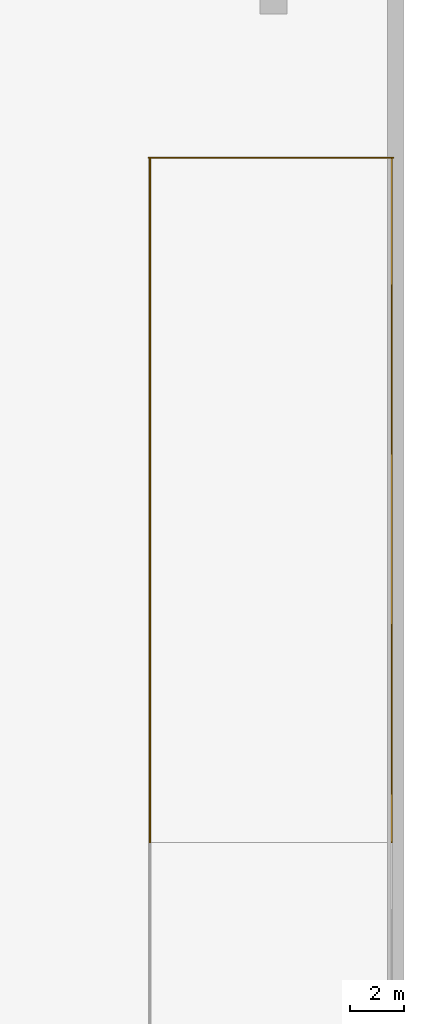
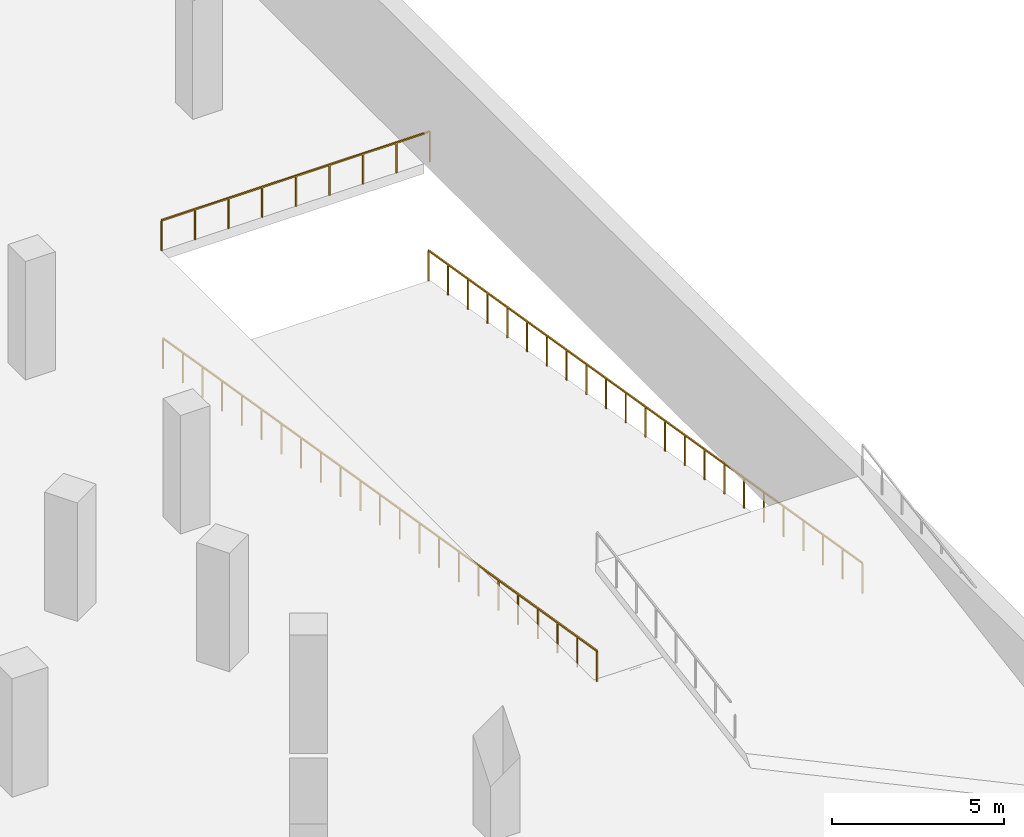
# One storey, part 17 of 20: 3 railings.
"""IFC4 building model written with IfcOpenShell, lengths in metres."""

from ifc_helpers import new_model, si_unit, direction, frame, origin, origin_2d, place, context, subcontext, project, spatial, rectangle, extrude, material, type_object, element, save


model = new_model("IFC4")

# Units and contexts
model_context = context("Model", 3, precision=1e-05, world=origin(), true_north=direction((0.0, 1.0)))
body_context = subcontext(model_context, "Body", "Model", "MODEL_VIEW")
ifc_project = project(units=[si_unit("LENGTHUNIT", "METRE"), si_unit("AREAUNIT", "SQUARE_METRE"), si_unit("VOLUMEUNIT", "CUBIC_METRE"), si_unit("PLANEANGLEUNIT", "RADIAN"), si_unit("MASSUNIT", "GRAM", prefix="KILO")], contexts=[model_context])

# Site, building, storey
site_placement = place(None, origin())
site = spatial("IfcSite", under=ifc_project, at=site_placement, CompositionType="ELEMENT")
building_placement = place(site_placement, origin())
building = spatial("IfcBuilding", under=site, at=building_placement, Name="Beryl Residences", CompositionType="ELEMENT")
storey_placement = place(building_placement, frame((0.0, 0.0, -4.199951171875)))
storey = spatial("IfcBuildingStorey", under=building, at=storey_placement, Name="B1", CompositionType="ELEMENT", Elevation=-4.199951171875)

# Railings
ifc_material = material(Name="Stainless steel balustrade with glass infill", Category="steel")
railing_type = type_object("IfcRailingType", Name="EG1 edge guard 1100 mm", PredefinedType="GUARDRAIL", material=ifc_material)
railing_1_placement = place(storey_placement, frame((38.60009765625, 21.199951171875, 0.0)))
element("IfcRailing", 1, at=railing_1_placement, inside=storey, type_object=railing_type, Name="B1 guard 37", PredefinedType="GUARDRAIL", context=body_context, shape_type="SweptSolid", body=[
    extrude(rectangle(XDim=0.048095703125, YDim=0.048095703125, at=origin_2d()), frame((0.0, 0.0, 1.076171875), z_axis=(1.0, 0.0, 0.0), x_axis=(0.0, 1.0, 0.0)), (0.0, 0.0, 1.0), 9.0),
    extrude(rectangle(XDim=0.0419921875, YDim=0.0419921875, at=origin_2d()), origin(), (0.0, 0.0, 1.0), 1.052001953125),
    extrude(rectangle(XDim=0.0419921875, YDim=0.0419921875, at=origin_2d()), frame((1.125, 0.0, 0.0)), (0.0, 0.0, 1.0), 1.052001953125),
    extrude(rectangle(XDim=0.0419921875, YDim=0.0419921875, at=origin_2d()), frame((2.25, 0.0, 0.0)), (0.0, 0.0, 1.0), 1.052001953125),
    extrude(rectangle(XDim=0.0419921875, YDim=0.0419921875, at=origin_2d()), frame((3.375, 0.0, 0.0)), (0.0, 0.0, 1.0), 1.052001953125),
    extrude(rectangle(XDim=0.0419921875, YDim=0.0419921875, at=origin_2d()), frame((4.5, 0.0, 0.0)), (0.0, 0.0, 1.0), 1.052001953125),
    extrude(rectangle(XDim=0.0419921875, YDim=0.0419921875, at=origin_2d()), frame((5.625, 0.0, 0.0)), (0.0, 0.0, 1.0), 1.052001953125),
    extrude(rectangle(XDim=0.0419921875, YDim=0.0419921875, at=origin_2d()), frame((6.75, 0.0, 0.0)), (0.0, 0.0, 1.0), 1.052001953125),
    extrude(rectangle(XDim=0.0419921875, YDim=0.0419921875, at=origin_2d()), frame((7.875, 0.0, 0.0)), (0.0, 0.0, 1.0), 1.052001953125),
    extrude(rectangle(XDim=0.0419921875, YDim=0.0419921875, at=origin_2d()), frame((9.0, 0.0, 0.0)), (0.0, 0.0, 1.0), 1.052001953125),
])
railing_2_placement = place(storey_placement, frame((38.64990234375, -4.0, 0.0)))
element("IfcRailing", 2, at=railing_2_placement, inside=storey, type_object=railing_type, Name="B1 ramp RB guard left", PredefinedType="GUARDRAIL", context=body_context, shape_type="SweptSolid", body=[
    extrude(rectangle(XDim=0.048095703125, YDim=0.048095703125, at=origin_2d()), frame((0.0, 0.0, 1.076171875), z_axis=(0.0, 0.98639418211, -0.164397437631), x_axis=(-1.0, 0.0, 0.0)), (0.0, 0.0, 1.0), 25.547607421875),
    extrude(rectangle(XDim=0.0419921875, YDim=0.0419921875, at=origin_2d()), origin(), (0.0, 0.0, 1.0), 1.052001953125),
    extrude(rectangle(XDim=0.0419921875, YDim=0.0419921875, at=origin_2d()), frame((0.0, 1.1455078125, -0.19091796875)), (0.0, 0.0, 1.0), 1.052001953125),
    extrude(rectangle(XDim=0.0419921875, YDim=0.0419921875, at=origin_2d()), frame((0.0, 2.291015625, -0.3818359375)), (0.0, 0.0, 1.0), 1.052001953125),
    extrude(rectangle(XDim=0.0419921875, YDim=0.0419921875, at=origin_2d()), frame((0.0, 3.436279296875, -0.57275390625)), (0.0, 0.0, 1.0), 1.052001953125),
    extrude(rectangle(XDim=0.0419921875, YDim=0.0419921875, at=origin_2d()), frame((0.0, 4.581787109375, -0.763671875)), (0.0, 0.0, 1.0), 1.052001953125),
    extrude(rectangle(XDim=0.0419921875, YDim=0.0419921875, at=origin_2d()), frame((0.0, 5.727294921875, -0.95458984375)), (0.0, 0.0, 1.0), 1.052001953125),
    extrude(rectangle(XDim=0.0419921875, YDim=0.0419921875, at=origin_2d()), frame((0.0, 6.872802734375, -1.1455078125)), (0.0, 0.0, 1.0), 1.052001953125),
    extrude(rectangle(XDim=0.0419921875, YDim=0.0419921875, at=origin_2d()), frame((0.0, 8.01806640625, -1.33642578125)), (0.0, 0.0, 1.0), 1.052001953125),
    extrude(rectangle(XDim=0.0419921875, YDim=0.0419921875, at=origin_2d()), frame((0.0, 9.16357421875, -1.52734375)), (0.0, 0.0, 1.0), 1.052001953125),
    extrude(rectangle(XDim=0.0419921875, YDim=0.0419921875, at=origin_2d()), frame((0.0, 10.30908203125, -1.71826171875)), (0.0, 0.0, 1.0), 1.052001953125),
    extrude(rectangle(XDim=0.0419921875, YDim=0.0419921875, at=origin_2d()), frame((0.0, 11.45458984375, -1.9091796875)), (0.0, 0.0, 1.0), 1.052001953125),
    extrude(rectangle(XDim=0.0419921875, YDim=0.0419921875, at=origin_2d()), frame((0.0, 12.60009765625, -2.10009765625)), (0.0, 0.0, 1.0), 1.052001953125),
    extrude(rectangle(XDim=0.0419921875, YDim=0.0419921875, at=origin_2d()), frame((0.0, 13.745361328125, -2.290771484375)), (0.0, 0.0, 1.0), 1.052001953125),
    extrude(rectangle(XDim=0.0419921875, YDim=0.0419921875, at=origin_2d()), frame((0.0, 14.890869140625, -2.481689453125)), (0.0, 0.0, 1.0), 1.052001953125),
    extrude(rectangle(XDim=0.0419921875, YDim=0.0419921875, at=origin_2d()), frame((0.0, 16.036376953125, -2.672607421875)), (0.0, 0.0, 1.0), 1.052001953125),
    extrude(rectangle(XDim=0.0419921875, YDim=0.0419921875, at=origin_2d()), frame((0.0, 17.181884765625, -2.863525390625)), (0.0, 0.0, 1.0), 1.052001953125),
    extrude(rectangle(XDim=0.0419921875, YDim=0.0419921875, at=origin_2d()), frame((0.0, 18.3271484375, -3.054443359375)), (0.0, 0.0, 1.0), 1.052001953125),
    extrude(rectangle(XDim=0.0419921875, YDim=0.0419921875, at=origin_2d()), frame((0.0, 19.47265625, -3.245361328125)), (0.0, 0.0, 1.0), 1.052001953125),
    extrude(rectangle(XDim=0.0419921875, YDim=0.0419921875, at=origin_2d()), frame((0.0, 20.6181640625, -3.436279296875)), (0.0, 0.0, 1.0), 1.052001953125),
    extrude(rectangle(XDim=0.0419921875, YDim=0.0419921875, at=origin_2d()), frame((0.0, 21.763671875, -3.627197265625)), (0.0, 0.0, 1.0), 1.052001953125),
    extrude(rectangle(XDim=0.0419921875, YDim=0.0419921875, at=origin_2d()), frame((0.0, 22.908935546875, -3.818115234375)), (0.0, 0.0, 1.0), 1.052001953125),
    extrude(rectangle(XDim=0.0419921875, YDim=0.0419921875, at=origin_2d()), frame((0.0, 24.054443359375, -4.009033203125)), (0.0, 0.0, 1.0), 1.052001953125),
    extrude(rectangle(XDim=0.0419921875, YDim=0.0419921875, at=origin_2d()), frame((0.0, 25.199951171875, -4.199951171875)), (0.0, 0.0, 1.0), 1.052001953125),
])
railing_3_placement = place(storey_placement, frame((47.550048828125, -4.0, 0.0)))
element("IfcRailing", 3, at=railing_3_placement, inside=storey, type_object=railing_type, Name="B1 ramp RB guard right", PredefinedType="GUARDRAIL", context=body_context, shape_type="SweptSolid", body=[
    extrude(rectangle(XDim=0.048095703125, YDim=0.048095703125, at=origin_2d()), frame((0.0, 0.0, 1.076171875), z_axis=(0.0, 0.98639418211, -0.164397437631), x_axis=(-1.0, 0.0, 0.0)), (0.0, 0.0, 1.0), 25.547607421875),
    extrude(rectangle(XDim=0.0419921875, YDim=0.0419921875, at=origin_2d()), origin(), (0.0, 0.0, 1.0), 1.052001953125),
    extrude(rectangle(XDim=0.0419921875, YDim=0.0419921875, at=origin_2d()), frame((0.0, 1.1455078125, -0.19091796875)), (0.0, 0.0, 1.0), 1.052001953125),
    extrude(rectangle(XDim=0.0419921875, YDim=0.0419921875, at=origin_2d()), frame((0.0, 2.291015625, -0.3818359375)), (0.0, 0.0, 1.0), 1.052001953125),
    extrude(rectangle(XDim=0.0419921875, YDim=0.0419921875, at=origin_2d()), frame((0.0, 3.436279296875, -0.57275390625)), (0.0, 0.0, 1.0), 1.052001953125),
    extrude(rectangle(XDim=0.0419921875, YDim=0.0419921875, at=origin_2d()), frame((0.0, 4.581787109375, -0.763671875)), (0.0, 0.0, 1.0), 1.052001953125),
    extrude(rectangle(XDim=0.0419921875, YDim=0.0419921875, at=origin_2d()), frame((0.0, 5.727294921875, -0.95458984375)), (0.0, 0.0, 1.0), 1.052001953125),
    extrude(rectangle(XDim=0.0419921875, YDim=0.0419921875, at=origin_2d()), frame((0.0, 6.872802734375, -1.1455078125)), (0.0, 0.0, 1.0), 1.052001953125),
    extrude(rectangle(XDim=0.0419921875, YDim=0.0419921875, at=origin_2d()), frame((0.0, 8.01806640625, -1.33642578125)), (0.0, 0.0, 1.0), 1.052001953125),
    extrude(rectangle(XDim=0.0419921875, YDim=0.0419921875, at=origin_2d()), frame((0.0, 9.16357421875, -1.52734375)), (0.0, 0.0, 1.0), 1.052001953125),
    extrude(rectangle(XDim=0.0419921875, YDim=0.0419921875, at=origin_2d()), frame((0.0, 10.30908203125, -1.71826171875)), (0.0, 0.0, 1.0), 1.052001953125),
    extrude(rectangle(XDim=0.0419921875, YDim=0.0419921875, at=origin_2d()), frame((0.0, 11.45458984375, -1.9091796875)), (0.0, 0.0, 1.0), 1.052001953125),
    extrude(rectangle(XDim=0.0419921875, YDim=0.0419921875, at=origin_2d()), frame((0.0, 12.60009765625, -2.10009765625)), (0.0, 0.0, 1.0), 1.052001953125),
    extrude(rectangle(XDim=0.0419921875, YDim=0.0419921875, at=origin_2d()), frame((0.0, 13.745361328125, -2.290771484375)), (0.0, 0.0, 1.0), 1.052001953125),
    extrude(rectangle(XDim=0.0419921875, YDim=0.0419921875, at=origin_2d()), frame((0.0, 14.890869140625, -2.481689453125)), (0.0, 0.0, 1.0), 1.052001953125),
    extrude(rectangle(XDim=0.0419921875, YDim=0.0419921875, at=origin_2d()), frame((0.0, 16.036376953125, -2.672607421875)), (0.0, 0.0, 1.0), 1.052001953125),
    extrude(rectangle(XDim=0.0419921875, YDim=0.0419921875, at=origin_2d()), frame((0.0, 17.181884765625, -2.863525390625)), (0.0, 0.0, 1.0), 1.052001953125),
    extrude(rectangle(XDim=0.0419921875, YDim=0.0419921875, at=origin_2d()), frame((0.0, 18.3271484375, -3.054443359375)), (0.0, 0.0, 1.0), 1.052001953125),
    extrude(rectangle(XDim=0.0419921875, YDim=0.0419921875, at=origin_2d()), frame((0.0, 19.47265625, -3.245361328125)), (0.0, 0.0, 1.0), 1.052001953125),
    extrude(rectangle(XDim=0.0419921875, YDim=0.0419921875, at=origin_2d()), frame((0.0, 20.6181640625, -3.436279296875)), (0.0, 0.0, 1.0), 1.052001953125),
    extrude(rectangle(XDim=0.0419921875, YDim=0.0419921875, at=origin_2d()), frame((0.0, 21.763671875, -3.627197265625)), (0.0, 0.0, 1.0), 1.052001953125),
    extrude(rectangle(XDim=0.0419921875, YDim=0.0419921875, at=origin_2d()), frame((0.0, 22.908935546875, -3.818115234375)), (0.0, 0.0, 1.0), 1.052001953125),
    extrude(rectangle(XDim=0.0419921875, YDim=0.0419921875, at=origin_2d()), frame((0.0, 24.054443359375, -4.009033203125)), (0.0, 0.0, 1.0), 1.052001953125),
    extrude(rectangle(XDim=0.0419921875, YDim=0.0419921875, at=origin_2d()), frame((0.0, 25.199951171875, -4.199951171875)), (0.0, 0.0, 1.0), 1.052001953125),
])

save(model, "model.ifc")
